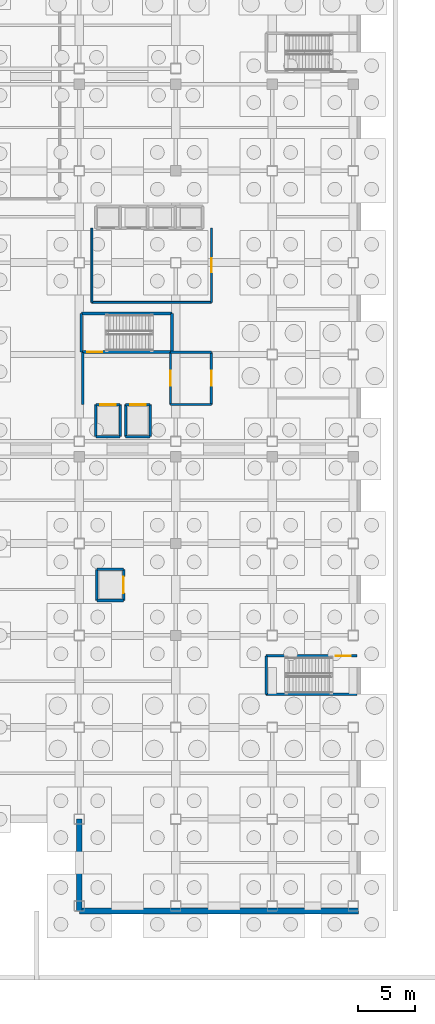
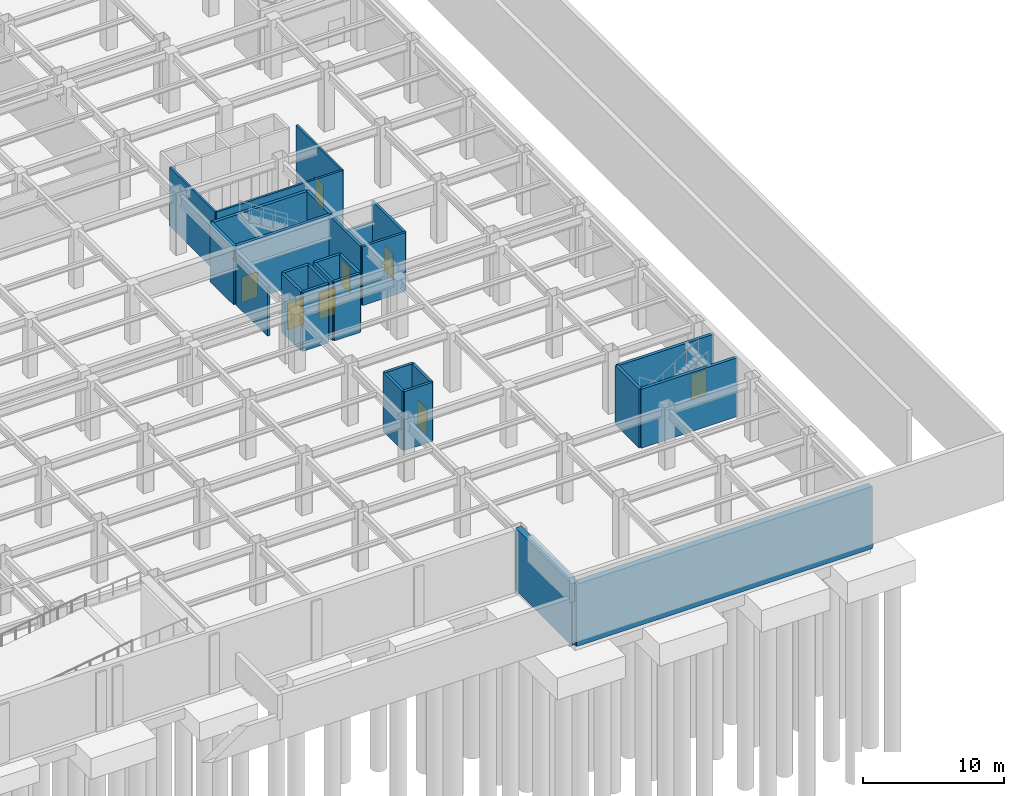
# One storey, part 37 of 55: 29 walls, 8 doors, 8 openings.
"""IFC4 building model written with IfcOpenShell, lengths in metres."""

import ifcopenshell
import ifcopenshell.guid

model = None  # the IFC model being written
_history = None  # IfcOwnerHistory: only IFC2X3 demands one
_inside = {}  # id of a spatial element -> (the spatial element, [elements in it])
_under = {}  # id of a project, library or spatial element -> (it, [spatial elements below it])
_declared = {}  # id of a project -> (the project, [libraries it declares])
_typed = {}  # id of a type object -> (the type object, [elements of that type])
_made_of = {}  # id of a material, layer set ... -> (it, [elements and type objects made of it])


def new_model(schema):
    """Start an empty IFC model of exactly this schema.

    Asked for "IFC4X3", IfcOpenShell would pick the latest addendum, in which some entities
    have other attributes; the version numbers below select the first issue.
    IFC2X3 requires an IfcOwnerHistory on every rooted entity: one is made here for all.
    """
    global model, _history
    if schema == "IFC4X3":
        model = ifcopenshell.file(schema_version=(4, 3, 0, 0))
    else:
        model = ifcopenshell.file(schema=schema)
    _inside.clear()
    _under.clear()
    _declared.clear()
    _typed.clear()
    _made_of.clear()
    _history = None
    if model.schema == "IFC2X3":
        org = make("IfcOrganization", Name="unknown")
        user = make(
            "IfcPersonAndOrganization",
            ThePerson=make("IfcPerson", FamilyName="unknown"),
            TheOrganization=org,
        )
        app = make(
            "IfcApplication",
            ApplicationDeveloper=org,
            Version="unknown",
            ApplicationFullName="unknown",
            ApplicationIdentifier="unknown",
        )
        _history = make(
            "IfcOwnerHistory",
            OwningUser=user,
            OwningApplication=app,
            ChangeAction="ADDED",
            CreationDate=0,
        )
    return model


def make(cls, **values):
    """One entity of the class cls with the attributes given. An attribute that is None is left unset."""
    return model.create_entity(
        cls, **{name: value for name, value in values.items() if value is not None}
    )


def rooted(cls, **values):
    """An entity with a GlobalId (a new one), such as an element, a storey or a relation."""
    return make(cls, GlobalId=ifcopenshell.guid.new(), OwnerHistory=_history, **values)


def si_unit(unit_type, name, prefix=None):
    """IfcSIUnit, for example si_unit("LENGTHUNIT", "METRE", prefix="MILLI")."""
    return make("IfcSIUnit", UnitType=unit_type, Prefix=prefix, Name=name)


def assignment(units):
    """IfcUnitAssignment: the units of a project."""
    return None if units is None else make("IfcUnitAssignment", Units=units)


def point(xyz):
    """IfcCartesianPoint."""
    return None if xyz is None else make("IfcCartesianPoint", Coordinates=xyz)


def direction(xyz):
    """IfcDirection."""
    return None if xyz is None else make("IfcDirection", DirectionRatios=xyz)


def frame(location, z_axis=None, x_axis=None):
    """IfcAxis2Placement3D, a coordinate frame: its origin and axes. An axis left out is left unset."""
    return make(
        "IfcAxis2Placement3D",
        Location=point(location),
        Axis=direction(z_axis),
        RefDirection=direction(x_axis),
    )


def frame_2d(location, x_axis=None):
    """IfcAxis2Placement2D, a coordinate frame in the plane: its origin and x axis."""
    return make(
        "IfcAxis2Placement2D", Location=point(location), RefDirection=direction(x_axis)
    )


def origin():
    """The frame at (0, 0, 0) with its axes left unset."""
    return frame((0.0, 0.0, 0.0))


def place(relative_to, where):
    """IfcLocalPlacement: puts the frame where relative to a parent placement (None: the world)."""
    return make(
        "IfcLocalPlacement", PlacementRelTo=relative_to, RelativePlacement=where
    )


def context(
    kind, dimensions, precision=None, world=None, true_north=None, identifier=None
):
    """IfcGeometricRepresentationContext, for example the 3D "Model" context."""
    return make(
        "IfcGeometricRepresentationContext",
        ContextIdentifier=identifier,
        ContextType=kind,
        CoordinateSpaceDimension=dimensions,
        Precision=precision,
        WorldCoordinateSystem=world,
        TrueNorth=true_north,
    )


def subcontext(parent, identifier, kind, view, scale=None):
    """IfcGeometricRepresentationSubContext, for example "Body" below "Model"."""
    return make(
        "IfcGeometricRepresentationSubContext",
        ContextIdentifier=identifier,
        ContextType=kind,
        ParentContext=parent,
        TargetScale=scale,
        TargetView=view,
    )


def project(units=None, contexts=None):
    """IfcProject with its units and contexts."""
    return rooted(
        "IfcProject",
        Name="project",
        RepresentationContexts=contexts,
        UnitsInContext=assignment(units),
    )


def spatial(cls, under=None, at=None, **own):
    """A site, building, storey or space (cls), placed at a placement, below another one or the project."""
    s = rooted(cls, ObjectPlacement=at, **own)
    if under is not None:
        _under.setdefault(under.id(), (under, []))[1].append(s)
    return s


def profile(cls, at=None, kind="AREA", **sizes):
    """A parametric profile (cls). Its sizes go by their IFC names, for example OverallWidth=200.0."""
    return make(cls, ProfileType=kind, Position=at, **sizes)


def rectangle(**sizes):
    """IfcRectangleProfileDef."""
    return profile("IfcRectangleProfileDef", **sizes)


def extrude(swept, where, along, depth):
    """IfcExtrudedAreaSolid: the profile swept, set in the frame where, extruded along a direction by depth."""
    return make(
        "IfcExtrudedAreaSolid",
        SweptArea=swept,
        Position=where,
        ExtrudedDirection=direction(along),
        Depth=depth,
    )


def shape(context_of_items, identifier, shape_type, items):
    """IfcShapeRepresentation: the items that make up one representation, for example the "Body"."""
    return make(
        "IfcShapeRepresentation",
        ContextOfItems=context_of_items,
        RepresentationIdentifier=identifier,
        RepresentationType=shape_type,
        Items=items,
    )


def material(Name=None, Category=None):
    """IfcMaterial."""
    return make("IfcMaterial", Name=Name, Category=Category)


def layer(
    of_material, thickness, ventilated=None, Name=None, Category=None, Priority=None
):
    """IfcMaterialLayer: one layer of a wall or slab, of a material (None: an air gap)."""
    return make(
        "IfcMaterialLayer",
        Material=of_material,
        LayerThickness=thickness,
        IsVentilated=ventilated,
        Name=Name,
        Category=Category,
        Priority=Priority,
    )


def layer_set(layers, Name=None):
    """IfcMaterialLayerSet."""
    return make("IfcMaterialLayerSet", MaterialLayers=layers, LayerSetName=Name)


def made_of(thing, what):
    """Note that an element or type object is made of a material, layer set ...; save() writes the relation."""
    if what is not None:
        _made_of.setdefault(what.id(), (what, []))[1].append(thing)
    return thing


def type_object(cls, material=None, **own):
    """A type object (cls), such as IfcWallType, which elements share."""
    return made_of(rooted(cls, **own), material)


def element(
    cls,
    number,
    at=None,
    inside=None,
    cuts=None,
    type_object=None,
    material=None,
    context=None,
    identifier="Body",
    shape_type=None,
    held_by="IfcProductDefinitionShape",
    body=None,
    shapes=None,
    **own,
):
    """One element of the class cls, such as IfcWall. Its Tag is "e" and its number.

    at: its placement. inside: the storey or other place that contains it. cuts: it is an
    opening in that element (IfcRelVoidsElement). A single representation is given by context,
    identifier, shape_type and body (its items); several are given by shapes. held_by: the class
    of the entity that holds the representations. save() writes the other relations.
    """
    e = rooted(cls, Tag="e%d" % number, ObjectPlacement=at, **own)
    if body is not None:
        shapes = [shape(context, identifier, shape_type, body)]
    if shapes is not None:
        e.Representation = make(held_by, Representations=shapes)
    if inside is not None:
        _inside.setdefault(inside.id(), (inside, []))[1].append(e)
    if cuts is not None:
        rooted(
            "IfcRelVoidsElement", RelatingBuildingElement=cuts, RelatedOpeningElement=e
        )
    if type_object is not None:
        _typed.setdefault(type_object.id(), (type_object, []))[1].append(e)
    return made_of(e, material)


def fill(opening, filler):
    """IfcRelFillsElement: the door or window that sits in an opening."""
    return rooted(
        "IfcRelFillsElement",
        RelatingOpeningElement=opening,
        RelatedBuildingElement=filler,
    )


def aggregate(whole, parts):
    """IfcRelAggregates: a whole, such as a stair, and the parts it consists of."""
    return rooted("IfcRelAggregates", RelatingObject=whole, RelatedObjects=parts)


def save(model, path):
    """Write the relations noted so far, then the file.

    IfcRelAggregates (storeys below a building ...), IfcRelContainedInSpatialStructure (elements
    in a storey), IfcRelDefinesByType, IfcRelAssociatesMaterial and IfcRelDeclares: one each for
    every whole, place, type object, material and project.
    """
    for whole, parts in _under.values():
        aggregate(whole, parts)
    for where, things in _inside.values():
        rooted(
            "IfcRelContainedInSpatialStructure",
            RelatedElements=things,
            RelatingStructure=where,
        )
    for kind, things in _typed.values():
        rooted("IfcRelDefinesByType", RelatedObjects=things, RelatingType=kind)
    for what, things in _made_of.values():
        rooted("IfcRelAssociatesMaterial", RelatedObjects=things, RelatingMaterial=what)
    for by, libraries in _declared.values():
        rooted("IfcRelDeclares", RelatingContext=by, RelatedDefinitions=libraries)
    model.write(path)


model = new_model("IFC4")

# Units and contexts
model_context = context("Model", 3, precision=1e-05, world=origin(), true_north=direction((0.0, 1.0)))
body_context = subcontext(model_context, "Body", "Model", "MODEL_VIEW")
ifc_project = project(units=[si_unit("LENGTHUNIT", "METRE"), si_unit("AREAUNIT", "SQUARE_METRE"), si_unit("VOLUMEUNIT", "CUBIC_METRE"), si_unit("PLANEANGLEUNIT", "RADIAN"), si_unit("MASSUNIT", "GRAM", prefix="KILO")], contexts=[model_context])

# Site, building, storey
site_placement = place(None, origin())
site = spatial("IfcSite", under=ifc_project, at=site_placement, CompositionType="ELEMENT")
building_placement = place(site_placement, origin())
building = spatial("IfcBuilding", under=site, at=building_placement, Name="Kazehara Bluff Congress Hotel", CompositionType="ELEMENT")
storey_placement = place(building_placement, frame((0.0, 0.0, -5.39990234375)))
storey = spatial("IfcBuildingStorey", under=building, at=storey_placement, Name="B1", CompositionType="ELEMENT", Elevation=-5.39990234375)

# Wall
ifc_material_1 = material(Name="Concrete C40/50", Category="concrete")
ifc_layer_1 = layer(ifc_material_1, 0.25)
ifc_layer_set_1 = layer_set([ifc_layer_1], Name="Concrete C40/50")
wall_type_1 = type_object("IfcWallType", Name="TP-CW-RC", PredefinedType="SHEAR", material=ifc_layer_set_1)
wall_1_placement = place(storey_placement, frame((159.97509765625, 18.875, 0.0), z_axis=(0.0, 0.0, 1.0), x_axis=(0.0, 1.0, 0.0)))
element("IfcWall", 1, at=wall_1_placement, inside=storey, type_object=wall_type_1, Name="B1 ST-10 core wall far", PredefinedType="SHEAR", context=body_context, shape_type="SweptSolid", body=[
    extrude(rectangle(XDim=3.35009765625, YDim=0.25, at=frame_2d((1.675048828125, 0.0))), origin(), (0.0, 0.0, 1.0), 5.119873046875),
])

# Wall, opening, door
wall_2_placement = place(storey_placement, frame((159.97509765625, 22.22509765625, 0.0), z_axis=(0.0, 0.0, 1.0), x_axis=(1.0, 0.0, 0.0)))
wall_2 = element("IfcWall", 2, at=wall_2_placement, inside=storey, type_object=wall_type_1, Name="B1 ST-10 core wall left", PredefinedType="SHEAR", context=body_context, shape_type="SweptSolid", body=[
    extrude(rectangle(XDim=7.89990234375, YDim=0.25, at=frame_2d((3.949951171875, 0.0))), origin(), (0.0, 0.0, 1.0), 5.119873046875),
])
opening_1_placement = place(wall_2_placement, frame((6.074951171875, 0.0, 0.0)))
opening_1 = element("IfcOpeningElement", 3, at=opening_1_placement, cuts=wall_2, Name="Opening FD-01", PredefinedType="OPENING", context=body_context, shape_type="SweptSolid", body=[
    extrude(rectangle(XDim=1.300048828125, YDim=2.199951171875, at=frame_2d((0.64990234375, 1.10009765625))), frame((0.0, 0.135009765625, 0.0), z_axis=(0.0, -1.0, 0.0), x_axis=(1.0, 0.0, 0.0)), (0.0, 0.0, 1.0), 0.27001953125),
])
ifc_material_2 = material(Name="Fire-rated painted steel leaf", Category="steel")
door_type_1 = type_object("IfcDoorType", Name="TP-FD-01", OperationType="NOTDEFINED", PredefinedType="DOOR", material=ifc_material_2)
door_1_placement = place(opening_1_placement, origin())
door_1 = element("IfcDoor", 4, at=door_1_placement, inside=storey, type_object=door_type_1, Name="B1 ST-10 fire stair door", OperationType="SINGLE_SWING_LEFT", OverallHeight=2.199951171875, OverallWidth=1.300048828125, PredefinedType="DOOR", context=body_context, shape_type="SweptSolid", body=[
    extrude(rectangle(XDim=1.300048828125, YDim=2.199951171875, at=frame_2d((0.64990234375, 1.10009765625))), frame((0.0, 0.02490234375, 0.0), z_axis=(0.0, -1.0, 0.0), x_axis=(1.0, 0.0, 0.0)), (0.0, 0.0, 1.0), 0.050048828125),
])
fill(opening_1, door_1)

# Walls
wall_3_placement = place(storey_placement, frame((167.875, 18.875, 0.0), z_axis=(0.0, 0.0, 1.0), x_axis=(-1.0, 0.0, 0.0)))
element("IfcWall", 5, at=wall_3_placement, inside=storey, type_object=wall_type_1, Name="B1 ST-10 core wall right", PredefinedType="SHEAR", context=body_context, shape_type="SweptSolid", body=[
    extrude(rectangle(XDim=7.89990234375, YDim=0.25, at=frame_2d((3.949951171875, 0.0))), origin(), (0.0, 0.0, 1.0), 5.119873046875),
])
for number, where, z_axis, x_axis, name in (
    (6, (143.875, 48.675048828125, 0.0), (0.0, 0.0, 1.0), (0.0, 1.0, 0.0), "B1 ST-11 core wall near"),
    (7, (151.77490234375, 52.02490234375, 0.0), (0.0, 0.0, 1.0), (0.0, -1.0, 0.0), "B1 ST-11 core wall far"),
):
    element("IfcWall", number, at=place(storey_placement, frame(where, z_axis=z_axis, x_axis=x_axis)), inside=storey, type_object=wall_type_1, Name=name, PredefinedType="SHEAR", context=body_context, shape_type="SweptSolid", body=[
        extrude(rectangle(XDim=3.349853515625, YDim=0.25, at=frame_2d((1.6748046875, 0.0))), origin(), (0.0, 0.0, 1.0), 5.119873046875),
    ])

# Wall, opening, door
wall_4_placement = place(storey_placement, frame((151.77490234375, 48.675048828125, 0.0), z_axis=(0.0, 0.0, 1.0), x_axis=(-1.0, 0.0, 0.0)))
wall_4 = element("IfcWall", 8, at=wall_4_placement, inside=storey, type_object=wall_type_1, Name="B1 ST-11 core wall left", PredefinedType="SHEAR", context=body_context, shape_type="SweptSolid", body=[
    extrude(rectangle(XDim=7.89990234375, YDim=0.25, at=frame_2d((3.949951171875, 0.0))), origin(), (0.0, 0.0, 1.0), 5.119873046875),
])
opening_2_placement = place(wall_4_placement, frame((6.074951171875, 0.0, 0.0)))
opening_2 = element("IfcOpeningElement", 9, at=opening_2_placement, cuts=wall_4, Name="Opening FD-01", PredefinedType="OPENING", context=body_context, shape_type="SweptSolid", body=[
    extrude(rectangle(XDim=1.300048828125, YDim=2.199951171875, at=frame_2d((0.64990234375, 1.10009765625))), frame((0.0, 0.135009765625, 0.0), z_axis=(0.0, -1.0, 0.0), x_axis=(1.0, 0.0, 0.0)), (0.0, 0.0, 1.0), 0.27001953125),
])
door_2_placement = place(opening_2_placement, origin())
door_2 = element("IfcDoor", 10, at=door_2_placement, inside=storey, type_object=door_type_1, Name="B1 ST-11 fire stair door", OperationType="SINGLE_SWING_RIGHT", OverallHeight=2.199951171875, OverallWidth=1.300048828125, PredefinedType="DOOR", context=body_context, shape_type="SweptSolid", body=[
    extrude(rectangle(XDim=1.300048828125, YDim=2.199951171875, at=frame_2d((0.64990234375, 1.10009765625))), frame((0.0, 0.02490234375, 0.0), z_axis=(0.0, -1.0, 0.0), x_axis=(1.0, 0.0, 0.0)), (0.0, 0.0, 1.0), 0.050048828125),
])
fill(opening_2, door_2)

# Walls
wall_5_placement = place(storey_placement, frame((143.875, 52.02490234375, 0.0), z_axis=(0.0, 0.0, 1.0), x_axis=(1.0, 0.0, 0.0)))
element("IfcWall", 11, at=wall_5_placement, inside=storey, type_object=wall_type_1, Name="B1 ST-11 core wall right", PredefinedType="SHEAR", context=body_context, shape_type="SweptSolid", body=[
    extrude(rectangle(XDim=7.89990234375, YDim=0.25, at=frame_2d((3.949951171875, 0.0))), origin(), (0.0, 0.0, 1.0), 5.119873046875),
])
ifc_material_3 = material(Name="Concrete C40/50", Category="concrete")
ifc_layer_2 = layer(ifc_material_3, 0.199951171875)
ifc_layer_set_2 = layer_set([ifc_layer_2], Name="Concrete C40/50")
wall_type_2 = type_object("IfcWallType", Name="TP-FW-RC", PredefinedType="SOLIDWALL", material=ifc_layer_set_2)
wall_6_placement = place(storey_placement, frame((151.64990234375, 44.10009765625, 0.0), z_axis=(0.0, 0.0, 1.0), x_axis=(1.0, 0.0, 0.0)))
element("IfcWall", 12, at=wall_6_placement, inside=storey, type_object=wall_type_2, Name="B1 partition FW-RC 5", PredefinedType="SOLIDWALL", context=body_context, shape_type="SweptSolid", body=[
    extrude(rectangle(XDim=3.550048828125, YDim=0.199951171875, at=frame_2d((1.77490234375, 0.0))), origin(), (0.0, 0.0, 1.0), 5.10498046875),
])
wall_7_placement = place(storey_placement, frame((151.64990234375, 48.64990234375, 0.0), z_axis=(0.0, 0.0, 1.0), x_axis=(1.0, 0.0, 0.0)))
element("IfcWall", 13, at=wall_7_placement, inside=storey, type_object=wall_type_2, Name="B1 partition FW-RC 11", PredefinedType="SOLIDWALL", context=body_context, shape_type="SweptSolid", body=[
    extrude(rectangle(XDim=3.550048828125, YDim=0.199951171875, at=frame_2d((1.77490234375, 0.0))), origin(), (0.0, 0.0, 1.0), 3.294921875),
])
wall_8_placement = place(storey_placement, frame((144.0, 44.10009765625, 0.0), z_axis=(0.0, 0.0, 1.0), x_axis=(0.0, 1.0, 0.0)))
element("IfcWall", 14, at=wall_8_placement, inside=storey, type_object=wall_type_2, Name="B1 partition FW-RC 51", PredefinedType="SOLIDWALL", context=body_context, shape_type="SweptSolid", body=[
    extrude(rectangle(XDim=4.5498046875, YDim=0.199951171875, at=frame_2d((2.27490234375, 0.0))), origin(), (0.0, 0.0, 1.0), 4.19482421875),
])

# Wall, opening, door
wall_9_placement = place(storey_placement, frame((151.64990234375, 44.10009765625, 0.0), z_axis=(0.0, 0.0, 1.0), x_axis=(0.0, 1.0, 0.0)))
wall_9 = element("IfcWall", 15, at=wall_9_placement, inside=storey, type_object=wall_type_2, Name="B1 partition FW-RC 53", PredefinedType="SOLIDWALL", context=body_context, shape_type="SweptSolid", body=[
    extrude(rectangle(XDim=4.5498046875, YDim=0.199951171875, at=frame_2d((2.27490234375, 0.0))), origin(), (0.0, 0.0, 1.0), 5.10498046875),
])
opening_3_placement = place(wall_9_placement, frame((1.625, 0.0, 0.0)))
opening_3 = element("IfcOpeningElement", 16, at=opening_3_placement, cuts=wall_9, Name="Opening FD-01", PredefinedType="OPENING", context=body_context, shape_type="SweptSolid", body=[
    extrude(rectangle(XDim=1.300048828125, YDim=2.199951171875, at=frame_2d((0.64990234375, 1.10009765625))), frame((0.0, 0.10986328125, 0.0), z_axis=(0.0, -1.0, 0.0), x_axis=(1.0, 0.0, 0.0)), (0.0, 0.0, 1.0), 0.219970703125),
])
door_3_placement = place(opening_3_placement, origin())
door_3 = element("IfcDoor", 17, at=door_3_placement, inside=storey, type_object=door_type_1, Name="B1 Emergency Firefighting Lobby door", OperationType="SINGLE_SWING_RIGHT", OverallHeight=2.199951171875, OverallWidth=1.300048828125, PredefinedType="DOOR", context=body_context, shape_type="SweptSolid", body=[
    extrude(rectangle(XDim=1.300048828125, YDim=2.199951171875, at=frame_2d((0.64990234375, 1.10009765625))), frame((0.0, 0.02490234375, 0.0), z_axis=(0.0, -1.0, 0.0), x_axis=(1.0, 0.0, 0.0)), (0.0, 0.0, 1.0), 0.050048828125),
])
fill(opening_3, door_3)

wall_10_placement = place(storey_placement, frame((155.199951171875, 44.10009765625, 0.0), z_axis=(0.0, 0.0, 1.0), x_axis=(0.0, 1.0, 0.0)))
wall_10 = element("IfcWall", 18, at=wall_10_placement, inside=storey, type_object=wall_type_2, Name="B1 partition FW-RC 54", PredefinedType="SOLIDWALL", context=body_context, shape_type="SweptSolid", body=[
    extrude(rectangle(XDim=4.5498046875, YDim=0.199951171875, at=frame_2d((2.27490234375, 0.0))), origin(), (0.0, 0.0, 1.0), 5.10498046875),
])
opening_4_placement = place(wall_10_placement, frame((1.625, 0.0, 0.0)))
opening_4 = element("IfcOpeningElement", 19, at=opening_4_placement, cuts=wall_10, Name="Opening FD-01", PredefinedType="OPENING", context=body_context, shape_type="SweptSolid", body=[
    extrude(rectangle(XDim=1.300048828125, YDim=2.199951171875, at=frame_2d((0.64990234375, 1.10009765625))), frame((0.0, 0.10986328125, 0.0), z_axis=(0.0, -1.0, 0.0), x_axis=(1.0, 0.0, 0.0)), (0.0, 0.0, 1.0), 0.219970703125),
])
door_4_placement = place(opening_4_placement, origin())
door_4 = element("IfcDoor", 20, at=door_4_placement, inside=storey, type_object=door_type_1, Name="B1 Smoke Vestibule Lobby door", OperationType="SINGLE_SWING_LEFT", OverallHeight=2.199951171875, OverallWidth=1.300048828125, PredefinedType="DOOR", context=body_context, shape_type="SweptSolid", body=[
    extrude(rectangle(XDim=1.300048828125, YDim=2.199951171875, at=frame_2d((0.64990234375, 1.10009765625))), frame((0.0, 0.02490234375, 0.0), z_axis=(0.0, -1.0, 0.0), x_axis=(1.0, 0.0, 0.0)), (0.0, 0.0, 1.0), 0.050048828125),
])
fill(opening_4, door_4)

# Walls
ifc_material_4 = material(Name="Fire-rated gypsum board stud partition")
ifc_layer_3 = layer(ifc_material_4, 0.169921875)
ifc_layer_set_3 = layer_set([ifc_layer_3], Name="Fire-rated gypsum board stud partition")
wall_type_3 = type_object("IfcWallType", Name="TP-PT-180", PredefinedType="PARTITIONING", material=ifc_layer_set_3)
wall_11_placement = place(storey_placement, frame((144.800048828125, 53.0, 0.0), z_axis=(0.0, 0.0, 1.0), x_axis=(1.0, 0.0, 0.0)))
element("IfcWall", 21, at=wall_11_placement, inside=storey, type_object=wall_type_3, Name="B1 partition PT-180 13", PredefinedType="PARTITIONING", context=body_context, shape_type="SweptSolid", body=[
    extrude(rectangle(XDim=10.39990234375, YDim=0.169921875, at=frame_2d((5.199951171875, 0.0))), origin(), (0.0, 0.0, 1.0), 5.10498046875),
])
wall_12_placement = place(storey_placement, frame((144.800048828125, 53.0, 0.0), z_axis=(0.0, 0.0, 1.0), x_axis=(0.0, 1.0, 0.0)))
element("IfcWall", 22, at=wall_12_placement, inside=storey, type_object=wall_type_3, Name="B1 partition PT-180 52", PredefinedType="PARTITIONING", context=body_context, shape_type="SweptSolid", body=[
    extrude(rectangle(XDim=6.449951171875, YDim=0.169921875, at=frame_2d((3.22509765625, 0.0))), origin(), (0.0, 0.0, 1.0), 5.10498046875),
])

# Wall, opening, door
wall_13_placement = place(storey_placement, frame((155.199951171875, 53.0, 0.0), z_axis=(0.0, 0.0, 1.0), x_axis=(0.0, 1.0, 0.0)))
wall_13 = element("IfcWall", 23, at=wall_13_placement, inside=storey, type_object=wall_type_3, Name="B1 partition PT-180 55", PredefinedType="PARTITIONING", context=body_context, shape_type="SweptSolid", body=[
    extrude(rectangle(XDim=6.449951171875, YDim=0.169921875, at=frame_2d((3.22509765625, 0.0))), origin(), (0.0, 0.0, 1.0), 5.10498046875),
])
opening_5_placement = place(wall_13_placement, frame((2.625, 0.0, 0.0)))
opening_5 = element("IfcOpeningElement", 24, at=opening_5_placement, cuts=wall_13, Name="Opening FD-02", PredefinedType="OPENING", context=body_context, shape_type="SweptSolid", body=[
    extrude(rectangle(XDim=1.199951171875, YDim=2.199951171875, at=frame_2d((0.60009765625, 1.10009765625))), frame((0.0, 0.094970703125, 0.0), z_axis=(0.0, -1.0, 0.0), x_axis=(1.0, 0.0, 0.0)), (0.0, 0.0, 1.0), 0.18994140625),
])
ifc_material_5 = material(Name="Fire-rated painted steel leaf", Category="steel")
door_type_2 = type_object("IfcDoorType", Name="TP-FD-02", OperationType="NOTDEFINED", PredefinedType="DOOR", material=ifc_material_5)
door_5_placement = place(opening_5_placement, origin())
door_5 = element("IfcDoor", 25, at=door_5_placement, inside=storey, type_object=door_type_2, Name="B1 Hotel Passenger Lift Lobby door", OperationType="SINGLE_SWING_RIGHT", OverallHeight=2.199951171875, OverallWidth=1.199951171875, PredefinedType="DOOR", context=body_context, shape_type="SweptSolid", body=[
    extrude(rectangle(XDim=1.199951171875, YDim=2.199951171875, at=frame_2d((0.60009765625, 1.10009765625))), frame((0.0, 0.02490234375, 0.0), z_axis=(0.0, -1.0, 0.0), x_axis=(1.0, 0.0, 0.0)), (0.0, 0.0, 1.0), 0.050048828125),
])
fill(opening_5, door_5)

# Walls
ifc_material_6 = material(Name="Concrete C40/50", Category="concrete")
ifc_layer_4 = layer(ifc_material_6, 0.5)
ifc_layer_set_4 = layer_set([ifc_layer_4], Name="Concrete C40/50")
wall_type_4 = type_object("IfcWallType", Name="TP-RW-500", PredefinedType="USERDEFINED", material=ifc_layer_set_4)
wall_14_placement = place(storey_placement, frame((143.699951171875, 8.0, 0.0), z_axis=(0.0, 0.0, 1.0), x_axis=(0.0, -1.0, 0.0)))
element("IfcWall", 26, at=wall_14_placement, inside=storey, type_object=wall_type_4, Name="Basement perimeter retaining wall 4", ObjectType="RETAININGWALL", PredefinedType="USERDEFINED", context=body_context, shape_type="SweptSolid", body=[
    extrude(rectangle(XDim=8.0, YDim=0.5, at=frame_2d((4.0, 0.0))), origin(), (0.0, 0.0, 1.0), 5.39990234375),
])
wall_15_placement = place(storey_placement, frame((143.699951171875, 0.0, 0.0), z_axis=(0.0, 0.0, 1.0), x_axis=(1.0, 0.0, 0.0)))
element("IfcWall", 27, at=wall_15_placement, inside=storey, type_object=wall_type_4, Name="Basement perimeter retaining wall 5", ObjectType="RETAININGWALL", PredefinedType="USERDEFINED", context=body_context, shape_type="SweptSolid", body=[
    extrude(rectangle(XDim=24.300048828125, YDim=0.5, at=frame_2d((12.14990234375, 0.0))), origin(), (0.0, 0.0, 1.0), 5.39990234375),
])

# Wall, opening, door
ifc_material_7 = material(Name="Concrete C40/50", Category="concrete")
ifc_layer_5 = layer(ifc_material_7, 0.219970703125)
ifc_layer_set_5 = layer_set([ifc_layer_5], Name="Concrete C40/50")
wall_type_5 = type_object("IfcWallType", Name="TP-SW-RC", PredefinedType="SHEAR", material=ifc_layer_set_5)
wall_16_placement = place(storey_placement, frame((145.139892578125, 44.0849609375, 0.0), z_axis=(0.0, 0.0, 1.0), x_axis=(1.0, 0.0, 0.0)))
wall_16 = element("IfcWall", 28, at=wall_16_placement, inside=storey, type_object=wall_type_5, Name="B1 EL-E1 lift shaft wall +Y", PredefinedType="SHEAR", context=body_context, shape_type="SweptSolid", body=[
    extrude(rectangle(XDim=2.1201171875, YDim=0.219970703125, at=frame_2d((1.06005859375, 0.0))), origin(), (0.0, 0.0, 1.0), 5.119873046875),
])
opening_6_placement = place(wall_16_placement, frame((0.385009765625, 0.0, 0.0)))
opening_6 = element("IfcOpeningElement", 29, at=opening_6_placement, cuts=wall_16, Name="Opening LD-03", PredefinedType="OPENING", context=body_context, shape_type="SweptSolid", body=[
    extrude(rectangle(XDim=1.35009765625, YDim=2.300048828125, at=frame_2d((0.675048828125, 1.14990234375))), frame((0.0, 0.119873046875, 0.0), z_axis=(0.0, -1.0, 0.0), x_axis=(1.0, 0.0, 0.0)), (0.0, 0.0, 1.0), 0.239990234375),
])
ifc_material_8 = material(Name="Fire-rated painted steel leaf", Category="steel")
door_type_3 = type_object("IfcDoorType", Name="TP-LD-03", OperationType="SLIDING_TO_LEFT", PredefinedType="DOOR", material=ifc_material_8)
door_6_placement = place(opening_6_placement, origin())
door_6 = element("IfcDoor", 30, at=door_6_placement, inside=storey, type_object=door_type_3, Name="B1 EL-E1 elevator landing door", OperationType="SLIDING_TO_LEFT", OverallHeight=2.300048828125, OverallWidth=1.35009765625, PredefinedType="DOOR", context=body_context, shape_type="SweptSolid", body=[
    extrude(rectangle(XDim=1.35009765625, YDim=2.300048828125, at=frame_2d((0.675048828125, 1.14990234375))), frame((0.0, 0.02490234375, 0.0), z_axis=(0.0, -1.0, 0.0), x_axis=(1.0, 0.0, 0.0)), (0.0, 0.0, 1.0), 0.050048828125),
])
fill(opening_6, door_6)

# Walls
wall_17_placement = place(storey_placement, frame((145.139892578125, 41.31494140625, 0.0), z_axis=(0.0, 0.0, 1.0), x_axis=(1.0, 0.0, 0.0)))
element("IfcWall", 31, at=wall_17_placement, inside=storey, type_object=wall_type_5, Name="B1 EL-E1 lift shaft wall -Y", PredefinedType="SHEAR", context=body_context, shape_type="SweptSolid", body=[
    extrude(rectangle(XDim=2.1201171875, YDim=0.219970703125, at=frame_2d((1.06005859375, 0.0))), origin(), (0.0, 0.0, 1.0), 5.119873046875),
])
for number, where, z_axis, x_axis, name in (
    (32, (147.260009765625, 41.31494140625, 0.0), (0.0, 0.0, 1.0), (0.0, 1.0, 0.0), "B1 EL-E1 lift shaft wall +X"),
    (33, (145.139892578125, 41.31494140625, 0.0), (0.0, 0.0, 1.0), (0.0, 1.0, 0.0), "B1 EL-E1 lift shaft wall -X"),
):
    element("IfcWall", number, at=place(storey_placement, frame(where, z_axis=z_axis, x_axis=x_axis)), inside=storey, type_object=wall_type_5, Name=name, PredefinedType="SHEAR", context=body_context, shape_type="SweptSolid", body=[
        extrude(rectangle(XDim=2.77001953125, YDim=0.219970703125, at=frame_2d((1.385009765625, 0.0))), origin(), (0.0, 0.0, 1.0), 5.119873046875),
    ])

# Wall, opening, door
wall_18_placement = place(storey_placement, frame((147.739990234375, 44.0849609375, 0.0), z_axis=(0.0, 0.0, 1.0), x_axis=(1.0, 0.0, 0.0)))
wall_18 = element("IfcWall", 34, at=wall_18_placement, inside=storey, type_object=wall_type_5, Name="B1 EL-E2 lift shaft wall +Y", PredefinedType="SHEAR", context=body_context, shape_type="SweptSolid", body=[
    extrude(rectangle(XDim=2.1201171875, YDim=0.219970703125, at=frame_2d((1.06005859375, 0.0))), origin(), (0.0, 0.0, 1.0), 5.119873046875),
])
opening_7_placement = place(wall_18_placement, frame((0.385009765625, 0.0, 0.0)))
opening_7 = element("IfcOpeningElement", 35, at=opening_7_placement, cuts=wall_18, Name="Opening LD-03", PredefinedType="OPENING", context=body_context, shape_type="SweptSolid", body=[
    extrude(rectangle(XDim=1.35009765625, YDim=2.300048828125, at=frame_2d((0.675048828125, 1.14990234375))), frame((0.0, 0.119873046875, 0.0), z_axis=(0.0, -1.0, 0.0), x_axis=(1.0, 0.0, 0.0)), (0.0, 0.0, 1.0), 0.239990234375),
])
door_7_placement = place(opening_7_placement, origin())
door_7 = element("IfcDoor", 36, at=door_7_placement, inside=storey, type_object=door_type_3, Name="B1 EL-E2 elevator landing door", OperationType="SLIDING_TO_LEFT", OverallHeight=2.300048828125, OverallWidth=1.35009765625, PredefinedType="DOOR", context=body_context, shape_type="SweptSolid", body=[
    extrude(rectangle(XDim=1.35009765625, YDim=2.300048828125, at=frame_2d((0.675048828125, 1.14990234375))), frame((0.0, 0.02490234375, 0.0), z_axis=(0.0, -1.0, 0.0), x_axis=(1.0, 0.0, 0.0)), (0.0, 0.0, 1.0), 0.050048828125),
])
fill(opening_7, door_7)

# Walls
wall_19_placement = place(storey_placement, frame((147.739990234375, 41.31494140625, 0.0), z_axis=(0.0, 0.0, 1.0), x_axis=(1.0, 0.0, 0.0)))
element("IfcWall", 37, at=wall_19_placement, inside=storey, type_object=wall_type_5, Name="B1 EL-E2 lift shaft wall -Y", PredefinedType="SHEAR", context=body_context, shape_type="SweptSolid", body=[
    extrude(rectangle(XDim=2.1201171875, YDim=0.219970703125, at=frame_2d((1.06005859375, 0.0))), origin(), (0.0, 0.0, 1.0), 5.119873046875),
])
for number, where, z_axis, x_axis, name in (
    (38, (149.860107421875, 41.31494140625, 0.0), (0.0, 0.0, 1.0), (0.0, 1.0, 0.0), "B1 EL-E2 lift shaft wall +X"),
    (39, (147.739990234375, 41.31494140625, 0.0), (0.0, 0.0, 1.0), (0.0, 1.0, 0.0), "B1 EL-E2 lift shaft wall -X"),
):
    element("IfcWall", number, at=place(storey_placement, frame(where, z_axis=z_axis, x_axis=x_axis)), inside=storey, type_object=wall_type_5, Name=name, PredefinedType="SHEAR", context=body_context, shape_type="SweptSolid", body=[
        extrude(rectangle(XDim=2.77001953125, YDim=0.219970703125, at=frame_2d((1.385009765625, 0.0))), origin(), (0.0, 0.0, 1.0), 5.119873046875),
    ])
for number, where, z_axis, x_axis, name in (
    (40, (145.239990234375, 29.760009765625, 0.0), (0.0, 0.0, 1.0), (1.0, 0.0, 0.0), "B1 EL-S3 lift shaft wall +Y"),
    (41, (145.239990234375, 27.0400390625, 0.0), (0.0, 0.0, 1.0), (1.0, 0.0, 0.0), "B1 EL-S3 lift shaft wall -Y"),
):
    element("IfcWall", number, at=place(storey_placement, frame(where, z_axis=z_axis, x_axis=x_axis)), inside=storey, type_object=wall_type_5, Name=name, PredefinedType="SHEAR", context=body_context, shape_type="SweptSolid", body=[
        extrude(rectangle(XDim=2.320068359375, YDim=0.219970703125, at=frame_2d((1.16015625, 0.0))), origin(), (0.0, 0.0, 1.0), 5.119873046875),
    ])

# Wall, opening, door
wall_20_placement = place(storey_placement, frame((147.56005859375, 27.0400390625, 0.0), z_axis=(0.0, 0.0, 1.0), x_axis=(0.0, 1.0, 0.0)))
wall_20 = element("IfcWall", 42, at=wall_20_placement, inside=storey, type_object=wall_type_5, Name="B1 EL-S3 lift shaft wall +X", PredefinedType="SHEAR", context=body_context, shape_type="SweptSolid", body=[
    extrude(rectangle(XDim=2.719970703125, YDim=0.219970703125, at=frame_2d((1.35986328125, 0.0))), origin(), (0.0, 0.0, 1.0), 5.119873046875),
])
opening_8_placement = place(wall_20_placement, frame((0.635009765625, 0.0, 0.0)))
opening_8 = element("IfcOpeningElement", 43, at=opening_8_placement, cuts=wall_20, Name="Opening LD-04", PredefinedType="OPENING", context=body_context, shape_type="SweptSolid", body=[
    extrude(rectangle(XDim=1.449951171875, YDim=2.35009765625, at=frame_2d((0.72509765625, 1.175048828125))), frame((0.0, 0.119873046875, 0.0), z_axis=(0.0, -1.0, 0.0), x_axis=(1.0, 0.0, 0.0)), (0.0, 0.0, 1.0), 0.239990234375),
])
ifc_material_9 = material(Name="Fire-rated painted steel leaf", Category="steel")
door_type_4 = type_object("IfcDoorType", Name="TP-LD-04", OperationType="SLIDING_TO_LEFT", PredefinedType="DOOR", material=ifc_material_9)
door_8_placement = place(opening_8_placement, origin())
door_8 = element("IfcDoor", 44, at=door_8_placement, inside=storey, type_object=door_type_4, Name="B1 EL-S3 elevator landing door", OperationType="SLIDING_TO_LEFT", OverallHeight=2.35009765625, OverallWidth=1.449951171875, PredefinedType="DOOR", context=body_context, shape_type="SweptSolid", body=[
    extrude(rectangle(XDim=1.449951171875, YDim=2.35009765625, at=frame_2d((0.72509765625, 1.175048828125))), frame((0.0, 0.02490234375, 0.0), z_axis=(0.0, -1.0, 0.0), x_axis=(1.0, 0.0, 0.0)), (0.0, 0.0, 1.0), 0.050048828125),
])
fill(opening_8, door_8)

# Wall
wall_21_placement = place(storey_placement, frame((145.239990234375, 27.0400390625, 0.0), z_axis=(0.0, 0.0, 1.0), x_axis=(0.0, 1.0, 0.0)))
element("IfcWall", 45, at=wall_21_placement, inside=storey, type_object=wall_type_5, Name="B1 EL-S3 lift shaft wall -X", PredefinedType="SHEAR", context=body_context, shape_type="SweptSolid", body=[
    extrude(rectangle(XDim=2.719970703125, YDim=0.219970703125, at=frame_2d((1.35986328125, 0.0))), origin(), (0.0, 0.0, 1.0), 5.119873046875),
])

save(model, "model.ifc")
